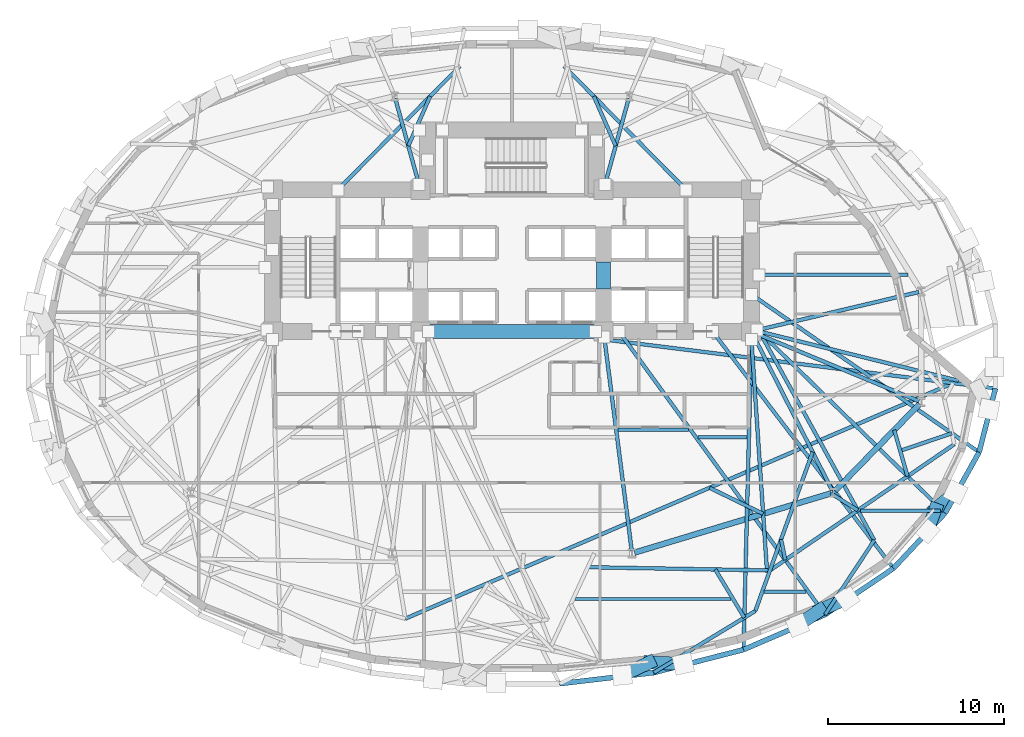
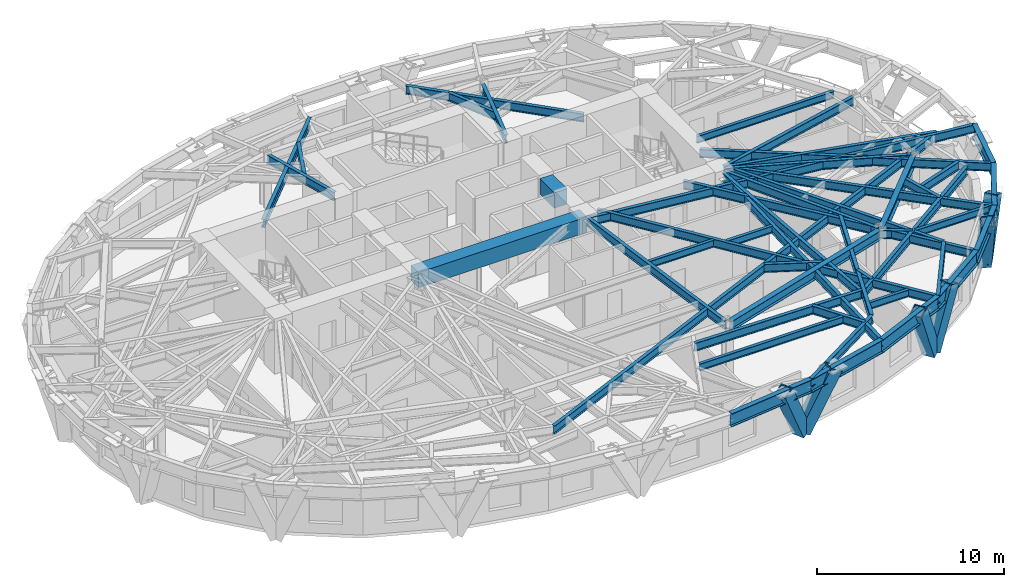
# One storey, part 3 of 15: 48 beams, 6 members.
"""IFC4 building model written with IfcOpenShell, lengths in metres."""

from ifc_helpers import new_model, si_unit, direction, frame, origin, origin_2d, place, context, subcontext, project, spatial, rectangle, hollow_rectangle, i_section, extrude, material, material_profile, profile_set, type_object, element, save


model = new_model("IFC4")

# Units and contexts
model_context = context("Model", 3, precision=1e-05, world=origin(), true_north=direction((0.0, 1.0)))
body_context = subcontext(model_context, "Body", "Model", "MODEL_VIEW")
ifc_project = project(units=[si_unit("LENGTHUNIT", "METRE"), si_unit("AREAUNIT", "SQUARE_METRE"), si_unit("VOLUMEUNIT", "CUBIC_METRE"), si_unit("PLANEANGLEUNIT", "RADIAN"), si_unit("MASSUNIT", "GRAM", prefix="KILO")], contexts=[model_context])

# Site, building, storey
site_placement = place(None, origin())
site = spatial("IfcSite", under=ifc_project, at=site_placement, CompositionType="ELEMENT")
building_placement = place(site_placement, origin())
building = spatial("IfcBuilding", under=site, at=building_placement, Name="Keldmark Tower", CompositionType="ELEMENT")
storey_placement = place(building_placement, frame((0.0, 0.0, 37.800048828125)))
storey = spatial("IfcBuildingStorey", under=building, at=storey_placement, Name="L09", CompositionType="ELEMENT", Elevation=37.800048828125)

# Beams
ifc_material_1 = material(Name="Steel ASTM A992 Grade 50", Category="steel")
ifc_material_profile_1 = material_profile(ifc_material_1, i_section(OverallWidth=0.19091796875, OverallDepth=0.45703125, WebThickness=0.009033203125, FlangeThickness=0.014404296875, at=origin_2d()), Name="W18X50")
ifc_profile_set_1 = profile_set([ifc_material_profile_1], Name="Steel ASTM A992 Grade 50")
beam_type_1 = type_object("IfcBeamType", Name="Composite Floor Joist W18X50", PredefinedType="JOIST", material=ifc_profile_set_1)
beam_1_placement = place(storey_placement, frame((3.57568359375, -13.800048828125, 3.17138671875), z_axis=(1.0, 0.0, 0.0), x_axis=(0.0, 1.0, 0.0)))
element("IfcBeam", 1, at=beam_1_placement, inside=storey, type_object=beam_type_1, Name="L09 Composite Floor Joist J02", PredefinedType="JOIST", context=body_context, shape_type="SweptSolid", body=[
    extrude(i_section(OverallWidth=0.19091796875, OverallDepth=0.45703125, WebThickness=0.009033203125, FlangeThickness=0.014404296875, at=origin_2d()), origin(), (0.0, 0.0, 1.0), 8.87353515625),
])
beam_2_placement = place(storey_placement, frame((14.321533203125, -13.3798828125, 3.17138671875), z_axis=(1.0, 0.0, 0.0), x_axis=(0.0, 1.0, 0.0)))
element("IfcBeam", 2, at=beam_2_placement, inside=storey, type_object=beam_type_1, Name="L09 Composite Floor Joist J03", PredefinedType="JOIST", context=body_context, shape_type="SweptSolid", body=[
    extrude(i_section(OverallWidth=0.19091796875, OverallDepth=0.45703125, WebThickness=0.009033203125, FlangeThickness=0.014404296875, at=origin_2d()), origin(), (0.0, 0.0, 1.0), 2.39453125),
])
beam_3_placement = place(storey_placement, frame((19.788818359375, -8.780029296875, 3.17138671875), z_axis=(1.0, 0.0, 0.0), x_axis=(0.0, 1.0, 0.0)))
element("IfcBeam", 3, at=beam_3_placement, inside=storey, type_object=beam_type_1, Name="L09 Composite Floor Joist J06", PredefinedType="JOIST", context=body_context, shape_type="SweptSolid", body=[
    extrude(i_section(OverallWidth=0.19091796875, OverallDepth=0.45703125, WebThickness=0.009033203125, FlangeThickness=0.014404296875, at=origin_2d()), origin(), (0.0, 0.0, 1.0), 4.5439453125),
])
beam_4_placement = place(storey_placement, frame((6.016845703125, -4.179931640625, 3.17138671875), z_axis=(1.0, 0.0, 0.0), x_axis=(0.0, 1.0, 0.0)))
element("IfcBeam", 4, at=beam_4_placement, inside=storey, type_object=beam_type_1, Name="L09 Composite Floor Joist J09", PredefinedType="JOIST", context=body_context, shape_type="SweptSolid", body=[
    extrude(i_section(OverallWidth=0.19091796875, OverallDepth=0.45703125, WebThickness=0.009033203125, FlangeThickness=0.014404296875, at=origin_2d()), origin(), (0.0, 0.0, 1.0), 4.003173828125),
])
beam_5_placement = place(storey_placement, frame((10.565673828125, -4.60009765625, 3.17138671875), z_axis=(1.0, 0.0, 0.0), x_axis=(0.0, 1.0, 0.0)))
element("IfcBeam", 5, at=beam_5_placement, inside=storey, type_object=beam_type_1, Name="L09 Composite Floor Joist J10", PredefinedType="JOIST", context=body_context, shape_type="SweptSolid", body=[
    extrude(i_section(OverallWidth=0.19091796875, OverallDepth=0.45703125, WebThickness=0.009033203125, FlangeThickness=0.014404296875, at=origin_2d()), origin(), (0.0, 0.0, 1.0), 2.797607421875),
])
beam_6_placement = place(storey_placement, frame((14.044921875, 4.6201171875, 3.17138671875), z_axis=(1.0, 0.0, 0.0), x_axis=(0.0, 1.0, 0.0)))
element("IfcBeam", 6, at=beam_6_placement, inside=storey, type_object=beam_type_1, Name="L09 Composite Floor Joist J13", PredefinedType="JOIST", context=body_context, shape_type="SweptSolid", body=[
    extrude(i_section(OverallWidth=0.19091796875, OverallDepth=0.45703125, WebThickness=0.009033203125, FlangeThickness=0.014404296875, at=origin_2d()), origin(), (0.0, 0.0, 1.0), 8.444580078125),
])
ifc_material_2 = material(Name="Concrete C70/85", Category="concrete")
ifc_material_profile_2 = material_profile(ifc_material_2, rectangle(XDim=0.800048828125, YDim=1.0, at=origin_2d()), Name="RCB800X1000")
ifc_profile_set_2 = profile_set([ifc_material_profile_2], Name="Concrete C70/85")
beam_type_2 = type_object("IfcBeamType", Name="Core Coupling Beam RCB800X1000", PredefinedType="USERDEFINED", material=ifc_profile_set_2)
beam_7_placement = place(storey_placement, frame((5.199951171875, 3.800048828125, 2.89990234375), z_axis=(0.0, 1.0, 0.0), x_axis=(-1.0, 0.0, 0.0)))
element("IfcBeam", 7, at=beam_7_placement, inside=storey, type_object=beam_type_2, Name="L09 East Core Coupling Beam", ObjectType="COUPLING BEAM", PredefinedType="USERDEFINED", context=body_context, shape_type="SweptSolid", body=[
    extrude(rectangle(XDim=0.800048828125, YDim=1.0, at=origin_2d()), origin(), (0.0, 0.0, 1.0), 1.550048828125),
])
beam_8_placement = place(storey_placement, frame((-5.199951171875, 1.39990234375, 2.89990234375), z_axis=(1.0, 0.0, 0.0), x_axis=(0.0, 1.0, 0.0)))
element("IfcBeam", 8, at=beam_8_placement, inside=storey, type_object=beam_type_2, Name="L09 Central South Core Coupling Beam", ObjectType="COUPLING BEAM", PredefinedType="USERDEFINED", context=body_context, shape_type="SweptSolid", body=[
    extrude(rectangle(XDim=0.800048828125, YDim=1.0, at=origin_2d()), origin(), (0.0, 0.0, 1.0), 10.39990234375),
])

# Members
ifc_material_3 = material(Name="Steel ASTM A572 Grade 50", Category="steel")
ifc_material_profile_3 = material_profile(ifc_material_3, hollow_rectangle(XDim=0.75, YDim=0.75, WallThickness=0.06494140625, at=origin_2d()), Name="BOX750X750X65")
ifc_profile_set_3 = profile_set([ifc_material_profile_3], Name="Steel ASTM A572 Grade 50")
member_type = type_object("IfcMemberType", Name="Diagrid Lower Brace BOX750X750X65", PredefinedType="BRACE", material=ifc_profile_set_3)
member_1_placement = place(storey_placement, frame((7.81298828125, -17.39990234375, -0.280029296875), z_axis=(-0.392331845466, -0.185415412322, 0.900942200092), x_axis=(0.427284399131, -0.904117272404, 0.0)))
element("IfcMember", 9, at=member_1_placement, inside=storey, type_object=member_type, Name="L09 Perimeter Diagrid Brace 13A", PredefinedType="BRACE", context=body_context, shape_type="SweptSolid", body=[
    extrude(hollow_rectangle(XDim=0.75, YDim=0.75, WallThickness=0.06494140625, at=origin_2d()), origin(), (0.0, 0.0, 1.0), 3.951416015625),
])
member_2_placement = place(storey_placement, frame((7.801513671875, -17.402099609375, -0.280029296875), z_axis=(0.476936958146, -0.021572132788, 0.878672738305), x_axis=(0.04518437926, 0.998978664372, 0.0)))
element("IfcMember", 10, at=member_2_placement, inside=storey, type_object=member_type, Name="L09 Perimeter Diagrid Brace 13B", PredefinedType="BRACE", context=body_context, shape_type="SweptSolid", body=[
    extrude(hollow_rectangle(XDim=0.75, YDim=0.75, WallThickness=0.06494140625, at=origin_2d()), origin(), (0.0, 0.0, 1.0), 4.051513671875),
])
member_3_placement = place(storey_placement, frame((17.510009765625, -14.4228515625, -0.280029296875), z_axis=(-0.333373647713, -0.224551547226, 0.915662936702), x_axis=(0.558659600206, -0.829397040686, 0.0)))
element("IfcMember", 11, at=member_3_placement, inside=storey, type_object=member_type, Name="L09 Perimeter Diagrid Brace 14A", PredefinedType="BRACE", context=body_context, shape_type="SweptSolid", body=[
    extrude(hollow_rectangle(XDim=0.75, YDim=0.75, WallThickness=0.06494140625, at=origin_2d()), origin(), (0.0, 0.0, 1.0), 3.887939453125),
])
member_4_placement = place(storey_placement, frame((17.500244140625, -14.42919921875, -0.280029296875), z_axis=(0.392011506588, 0.169590552122, 0.904193576251), x_axis=(-0.397053283296, 0.917795560146, 0.0)))
element("IfcMember", 12, at=member_4_placement, inside=storey, type_object=member_type, Name="L09 Perimeter Diagrid Brace 14B", PredefinedType="BRACE", context=body_context, shape_type="SweptSolid", body=[
    extrude(hollow_rectangle(XDim=0.75, YDim=0.75, WallThickness=0.06494140625, at=origin_2d()), origin(), (0.0, 0.0, 1.0), 3.937255859375),
])
member_5_placement = place(storey_placement, frame((24.059814453125, -8.689697265625, -0.280029296875), z_axis=(-0.125442726362, -0.324376501536, 0.93757346787), x_axis=(0.932686500916, -0.360688079938, 0.0)))
element("IfcMember", 13, at=member_5_placement, inside=storey, type_object=member_type, Name="L09 Perimeter Diagrid Brace 15A", PredefinedType="BRACE", context=body_context, shape_type="SweptSolid", body=[
    extrude(hollow_rectangle(XDim=0.75, YDim=0.75, WallThickness=0.06494140625, at=origin_2d()), origin(), (0.0, 0.0, 1.0), 3.797119140625),
])
member_6_placement = place(storey_placement, frame((24.053466796875, -8.69970703125, -0.280029296875), z_axis=(0.296475355452, 0.25052831145, 0.921595317247), x_axis=(-0.645438466193, 0.763812271673, 0.0)))
element("IfcMember", 14, at=member_6_placement, inside=storey, type_object=member_type, Name="L09 Perimeter Diagrid Brace 15B", PredefinedType="BRACE", context=body_context, shape_type="SweptSolid", body=[
    extrude(hollow_rectangle(XDim=0.75, YDim=0.75, WallThickness=0.06494140625, at=origin_2d()), origin(), (0.0, 0.0, 1.0), 3.863037109375),
])

# Beams
ifc_material_4 = material(Name="Steel ASTM A992 Grade 50", Category="steel")
ifc_material_profile_4 = material_profile(ifc_material_4, i_section(OverallWidth=0.323974609375, OverallDepth=0.611083984375, WebThickness=0.0126953125, FlangeThickness=0.01904296875, at=origin_2d()), Name="W24X104")
ifc_profile_set_4 = profile_set([ifc_material_profile_4], Name="Steel ASTM A992 Grade 50")
beam_type_3 = type_object("IfcBeamType", Name="Primary Floor Girder W24X104", PredefinedType="BEAM", material=ifc_profile_set_4)
beam_9_placement = place(storey_placement, frame((6.9560546875, -11.165283203125, 3.094482421875), z_axis=(0.957346071406, 0.2889437654, 0.0), x_axis=(-0.2889437654, 0.957346071406, 0.0)))
element("IfcBeam", 15, at=beam_9_placement, inside=storey, type_object=beam_type_3, Name="L09 Floor Ring Girder FG-R10", PredefinedType="BEAM", context=body_context, shape_type="SweptSolid", body=[
    extrude(i_section(OverallWidth=0.323974609375, OverallDepth=0.611083984375, WebThickness=0.0126953125, FlangeThickness=0.01904296875, at=origin_2d()), origin(), (0.0, 0.0, 1.0), 11.66015625),
])
beam_10_placement = place(storey_placement, frame((18.350341796875, -7.6552734375, 3.094482421875), z_axis=(0.697210382268, 0.716866572563, 0.0), x_axis=(-0.716866572563, 0.697210382268, 0.0)))
element("IfcBeam", 16, at=beam_10_placement, inside=storey, type_object=beam_type_3, Name="L09 Floor Ring Girder FG-R11", PredefinedType="BEAM", context=body_context, shape_type="SweptSolid", body=[
    extrude(i_section(OverallWidth=0.323974609375, OverallDepth=0.611083984375, WebThickness=0.0126953125, FlangeThickness=0.01904296875, at=origin_2d()), origin(), (0.0, 0.0, 1.0), 6.893310546875),
])
ifc_material_5 = material(Name="Steel ASTM A992 Grade 50", Category="steel")
ifc_material_profile_5 = material_profile(ifc_material_5, i_section(OverallWidth=0.2099609375, OverallDepth=0.537109375, WebThickness=0.010986328125, FlangeThickness=0.017333984375, at=origin_2d()), Name="W21X68")
ifc_profile_set_5 = profile_set([ifc_material_profile_5], Name="Steel ASTM A992 Grade 50")
beam_type_4 = type_object("IfcBeamType", Name="Radial Tie Girder W21X68", PredefinedType="BEAM", material=ifc_profile_set_5)
beam_11_placement = place(storey_placement, frame((5.889404296875, 11.948486328125, 3.13134765625), z_axis=(-0.403401535143, 0.915023060608, 0.0), x_axis=(-0.915023060608, -0.403401535143, 0.0)))
element("IfcBeam", 17, at=beam_11_placement, inside=storey, type_object=beam_type_4, Name="L09 Framing Pin Header PH-002", PredefinedType="BEAM", context=body_context, shape_type="SweptSolid", body=[
    extrude(i_section(OverallWidth=0.2099609375, OverallDepth=0.537109375, WebThickness=0.010986328125, FlangeThickness=0.017333984375, at=origin_2d()), origin(), (0.0, 0.0, 1.0), 3.072509765625),
])
beam_12_placement = place(storey_placement, frame((9.892822265625, 9.449951171875, 3.13134765625), z_axis=(-0.702598504383, 0.711586496245, 0.0), x_axis=(-0.711586496245, -0.702598504383, 0.0)))
element("IfcBeam", 18, at=beam_12_placement, inside=storey, type_object=beam_type_4, Name="L09 Sub-Ring Step Girder STP1-M03", PredefinedType="BEAM", context=body_context, shape_type="SweptSolid", body=[
    extrude(i_section(OverallWidth=0.2099609375, OverallDepth=0.537109375, WebThickness=0.010986328125, FlangeThickness=0.017333984375, at=origin_2d()), origin(), (0.0, 0.0, 1.0), 9.860107421875),
])
beam_13_placement = place(storey_placement, frame((-5.889404296875, 11.948486328125, 3.13134765625), z_axis=(0.403401535143, 0.915023060608, 0.0), x_axis=(-0.915023060608, 0.403401535143, 0.0)))
element("IfcBeam", 19, at=beam_13_placement, inside=storey, type_object=beam_type_4, Name="L09 Framing Pin Header PH-003", PredefinedType="BEAM", context=body_context, shape_type="SweptSolid", body=[
    extrude(i_section(OverallWidth=0.2099609375, OverallDepth=0.537109375, WebThickness=0.010986328125, FlangeThickness=0.017333984375, at=origin_2d()), origin(), (0.0, 0.0, 1.0), 3.072509765625),
])
beam_14_placement = place(storey_placement, frame((-9.892822265625, 9.449951171875, 3.13134765625), z_axis=(0.702598504383, 0.711586496245, 0.0), x_axis=(-0.711586496245, 0.702598504383, 0.0)))
element("IfcBeam", 20, at=beam_14_placement, inside=storey, type_object=beam_type_4, Name="L09 Sub-Ring Step Girder STP1-M04", PredefinedType="BEAM", context=body_context, shape_type="SweptSolid", body=[
    extrude(i_section(OverallWidth=0.2099609375, OverallDepth=0.537109375, WebThickness=0.010986328125, FlangeThickness=0.017333984375, at=origin_2d()), origin(), (0.0, 0.0, 1.0), 9.860107421875),
])
beam_15_placement = place(storey_placement, frame((14.050048828125, 1.39990234375, 3.13134765625), z_axis=(0.970791969309, -0.239922804929, 0.0), x_axis=(0.239922804929, 0.970791969309, 0.0)))
element("IfcBeam", 21, at=beam_15_placement, inside=storey, type_object=beam_type_4, Name="L09 Sub-Ring Step Girder STP1-M12", PredefinedType="BEAM", context=body_context, shape_type="SweptSolid", body=[
    extrude(i_section(OverallWidth=0.2099609375, OverallDepth=0.537109375, WebThickness=0.010986328125, FlangeThickness=0.017333984375, at=origin_2d()), origin(), (0.0, 0.0, 1.0), 11.656494140625),
])
beam_16_placement = place(storey_placement, frame((-6.0634765625, -14.916015625, 3.13134765625), z_axis=(0.91862010832, 0.395141868942, 0.0), x_axis=(-0.395141868942, 0.91862010832, 0.0)))
element("IfcBeam", 22, at=beam_16_placement, inside=storey, type_object=beam_type_4, Name="L09 Perimeter Collector Ring Beam CRG1-M09", PredefinedType="BEAM", context=body_context, shape_type="SweptSolid", body=[
    extrude(i_section(OverallWidth=0.2099609375, OverallDepth=0.537109375, WebThickness=0.010986328125, FlangeThickness=0.017333984375, at=origin_2d()), origin(), (0.0, 0.0, 1.0), 34.2138671875),
])
beam_17_placement = place(storey_placement, frame((11.22265625, -7.48046875, 3.13134765625), z_axis=(0.899644164592, -0.436623839381, 0.0), x_axis=(0.436623839381, 0.899644164592, 0.0)))
element("IfcBeam", 23, at=beam_17_placement, inside=storey, type_object=beam_type_4, Name="L09 Framing Pin Header PH-014", PredefinedType="BEAM", context=body_context, shape_type="SweptSolid", body=[
    extrude(i_section(OverallWidth=0.2099609375, OverallDepth=0.537109375, WebThickness=0.010986328125, FlangeThickness=0.017333984375, at=origin_2d()), origin(), (0.0, 0.0, 1.0), 3.385009765625),
])
beam_18_placement = place(storey_placement, frame((13.60009765625, 0.949951171875, 3.13134765625), z_axis=(0.067249465921, -0.997736192254, 0.0), x_axis=(0.997736192254, 0.067249465921, 0.0)))
element("IfcBeam", 24, at=beam_18_placement, inside=storey, type_object=beam_type_4, Name="L09 Sub-Ring Step Girder STP2-M11", PredefinedType="BEAM", context=body_context, shape_type="SweptSolid", body=[
    extrude(i_section(OverallWidth=0.2099609375, OverallDepth=0.537109375, WebThickness=0.010986328125, FlangeThickness=0.017333984375, at=origin_2d()), origin(), (0.0, 0.0, 1.0), 13.265380859375),
])
beam_19_placement = place(storey_placement, frame((14.4921875, -12.285400390625, 3.13134765625), z_axis=(0.82527984309, 0.564723986199, 0.0), x_axis=(-0.564723986199, 0.82527984309, 0.0)))
element("IfcBeam", 25, at=beam_19_placement, inside=storey, type_object=beam_type_4, Name="L09 Perimeter Collector Ring Beam CRG2-M11", PredefinedType="BEAM", context=body_context, shape_type="SweptSolid", body=[
    extrude(i_section(OverallWidth=0.2099609375, OverallDepth=0.537109375, WebThickness=0.010986328125, FlangeThickness=0.017333984375, at=origin_2d()), origin(), (0.0, 0.0, 1.0), 12.886474609375),
])
beam_20_placement = place(storey_placement, frame((4.3115234375, -11.99169921875, 3.13134765625), z_axis=(0.99984245989, -0.017749800043, 0.0), x_axis=(0.017749800043, 0.99984245989, 0.0)))
element("IfcBeam", 26, at=beam_20_placement, inside=storey, type_object=beam_type_4, Name="L09 Framing Pin Header PH-037", PredefinedType="BEAM", context=body_context, shape_type="SweptSolid", body=[
    extrude(i_section(OverallWidth=0.2099609375, OverallDepth=0.537109375, WebThickness=0.010986328125, FlangeThickness=0.017333984375, at=origin_2d()), origin(), (0.0, 0.0, 1.0), 10.343505859375),
])
beam_21_placement = place(storey_placement, frame((17.078369140625, -5.4443359375, 3.13134765625), z_axis=(-0.338967889835, -0.940797943057, 0.0), x_axis=(0.940797943057, -0.338967889835, 0.0)))
element("IfcBeam", 27, at=beam_21_placement, inside=storey, type_object=beam_type_4, Name="L09 Intermediate Radial Step Girder RT-27M", PredefinedType="BEAM", context=body_context, shape_type="SweptSolid", body=[
    extrude(i_section(OverallWidth=0.2099609375, OverallDepth=0.537109375, WebThickness=0.010986328125, FlangeThickness=0.017333984375, at=origin_2d()), origin(), (0.0, 0.0, 1.0), 9.6044921875),
])
beam_22_placement = place(storey_placement, frame((8.05029296875, -17.982666015625, 3.13134765625), z_axis=(0.854936428272, 0.51873278633, 0.0), x_axis=(-0.51873278633, 0.854936428272, 0.0)))
element("IfcBeam", 28, at=beam_22_placement, inside=storey, type_object=beam_type_4, Name="L09 Local Collector Chord RT-27C", PredefinedType="BEAM", context=body_context, shape_type="SweptSolid", body=[
    extrude(i_section(OverallWidth=0.2099609375, OverallDepth=0.537109375, WebThickness=0.010986328125, FlangeThickness=0.017333984375, at=origin_2d()), origin(), (0.0, 0.0, 1.0), 6.751953125),
])
beam_23_placement = place(storey_placement, frame((11.55078125, -12.120361328125, 3.13134765625), z_axis=(0.515843130065, -0.856683059926, 0.0), x_axis=(0.856683059926, 0.515843130065, 0.0)))
element("IfcBeam", 29, at=beam_23_placement, inside=storey, type_object=beam_type_4, Name="L09 Framing Pin Header PH-038", PredefinedType="BEAM", context=body_context, shape_type="SweptSolid", body=[
    extrude(i_section(OverallWidth=0.2099609375, OverallDepth=0.537109375, WebThickness=0.010986328125, FlangeThickness=0.017333984375, at=origin_2d()), origin(), (0.0, 0.0, 1.0), 3.196044921875),
])
beam_24_placement = place(storey_placement, frame((13.60009765625, 0.949951171875, 3.13134765625), z_axis=(-0.02534127953, -0.99967885821, 0.0), x_axis=(0.99967885821, -0.02534127953, 0.0)))
element("IfcBeam", 30, at=beam_24_placement, inside=storey, type_object=beam_type_4, Name="L09 Perimeter Radial Tie Girder RT-27", PredefinedType="BEAM", context=body_context, shape_type="SweptSolid", body=[
    extrude(i_section(OverallWidth=0.2099609375, OverallDepth=0.537109375, WebThickness=0.010986328125, FlangeThickness=0.017333984375, at=origin_2d()), origin(), (0.0, 0.0, 1.0), 17.63037109375),
])
beam_25_placement = place(storey_placement, frame((15.287841796875, -10.4140625, 3.13134765625), z_axis=(0.199630044772, -0.979871341159, 0.0), x_axis=(0.979871341159, 0.199630044772, 0.0)))
element("IfcBeam", 31, at=beam_25_placement, inside=storey, type_object=beam_type_4, Name="L09 Framing Pin Header PH-039", PredefinedType="BEAM", context=body_context, shape_type="SweptSolid", body=[
    extrude(i_section(OverallWidth=0.2099609375, OverallDepth=0.537109375, WebThickness=0.010986328125, FlangeThickness=0.017333984375, at=origin_2d()), origin(), (0.0, 0.0, 1.0), 1.188720703125),
])
beam_26_placement = place(storey_placement, frame((6.07861328125, 1.39990234375, 3.13134765625), z_axis=(0.588470082326, -0.808518993102, 0.0), x_axis=(0.808518993102, 0.588470082326, 0.0)))
element("IfcBeam", 32, at=beam_26_placement, inside=storey, type_object=beam_type_4, Name="L09 Perimeter Radial Tie Girder RT-28", PredefinedType="BEAM", context=body_context, shape_type="SweptSolid", body=[
    extrude(i_section(OverallWidth=0.2099609375, OverallDepth=0.537109375, WebThickness=0.010986328125, FlangeThickness=0.017333984375, at=origin_2d()), origin(), (0.0, 0.0, 1.0), 19.895263671875),
])
beam_27_placement = place(storey_placement, frame((18.118896484375, -7.796142578125, 3.13134765625), z_axis=(0.845948150047, -0.533265156776, 0.0), x_axis=(0.533265156776, 0.845948150047, 0.0)))
element("IfcBeam", 33, at=beam_27_placement, inside=storey, type_object=beam_type_4, Name="L09 Framing Pin Header PH-040", PredefinedType="BEAM", context=body_context, shape_type="SweptSolid", body=[
    extrude(i_section(OverallWidth=0.2099609375, OverallDepth=0.537109375, WebThickness=0.010986328125, FlangeThickness=0.017333984375, at=origin_2d()), origin(), (0.0, 0.0, 1.0), 1.80517578125),
])
beam_28_placement = place(storey_placement, frame((14.050048828125, 1.39990234375, 3.13134765625), z_axis=(0.482477991977, -0.875908092929, 0.0), x_axis=(0.875908092929, 0.482477991977, 0.0)))
element("IfcBeam", 34, at=beam_28_placement, inside=storey, type_object=beam_type_4, Name="L09 Intermediate Radial Step Girder RT-29M", PredefinedType="BEAM", context=body_context, shape_type="SweptSolid", body=[
    extrude(i_section(OverallWidth=0.2099609375, OverallDepth=0.537109375, WebThickness=0.010986328125, FlangeThickness=0.017333984375, at=origin_2d()), origin(), (0.0, 0.0, 1.0), 13.538330078125),
])
beam_29_placement = place(storey_placement, frame((17.786376953125, -14.685791015625, 3.13134765625), z_axis=(0.551617097715, 0.834097462836, 0.0), x_axis=(-0.834097462836, 0.551617097715, 0.0)))
element("IfcBeam", 35, at=beam_29_placement, inside=storey, type_object=beam_type_4, Name="L09 Local Collector Chord RT-29C", PredefinedType="BEAM", context=body_context, shape_type="SweptSolid", body=[
    extrude(i_section(OverallWidth=0.2099609375, OverallDepth=0.537109375, WebThickness=0.010986328125, FlangeThickness=0.017333984375, at=origin_2d()), origin(), (0.0, 0.0, 1.0), 5.068115234375),
])
beam_30_placement = place(storey_placement, frame((11.392822265625, 1.39990234375, 3.13134765625), z_axis=(0.607192621038, -0.794554668325, 0.0), x_axis=(0.794554668325, 0.607192621038, 0.0)))
element("IfcBeam", 36, at=beam_30_placement, inside=storey, type_object=beam_type_4, Name="L09 Perimeter Radial Tie Girder RT-29", PredefinedType="BEAM", context=body_context, shape_type="SweptSolid", body=[
    extrude(i_section(OverallWidth=0.2099609375, OverallDepth=0.537109375, WebThickness=0.010986328125, FlangeThickness=0.017333984375, at=origin_2d()), origin(), (0.0, 0.0, 1.0), 16.930419921875),
])
beam_31_placement = place(storey_placement, frame((21.714599609375, -4.196044921875, 3.13134765625), z_axis=(0.276523764245, -0.961007079999, 0.0), x_axis=(0.961007079999, 0.276523764245, 0.0)))
element("IfcBeam", 37, at=beam_31_placement, inside=storey, type_object=beam_type_4, Name="L09 Framing Pin Header PH-041", PredefinedType="BEAM", context=body_context, shape_type="SweptSolid", body=[
    extrude(i_section(OverallWidth=0.2099609375, OverallDepth=0.537109375, WebThickness=0.010986328125, FlangeThickness=0.017333984375, at=origin_2d()), origin(), (0.0, 0.0, 1.0), 2.736083984375),
])
beam_32_placement = place(storey_placement, frame((14.050048828125, 1.39990234375, 3.13134765625), z_axis=(0.715378294414, -0.698737358298, 0.0), x_axis=(0.698737358298, 0.715378294414, 0.0)))
element("IfcBeam", 38, at=beam_32_placement, inside=storey, type_object=beam_type_4, Name="L09 Perimeter Radial Tie Girder RT-30", PredefinedType="BEAM", context=body_context, shape_type="SweptSolid", body=[
    extrude(i_section(OverallWidth=0.2099609375, OverallDepth=0.537109375, WebThickness=0.010986328125, FlangeThickness=0.017333984375, at=origin_2d()), origin(), (0.0, 0.0, 1.0), 14.759033203125),
])
beam_33_placement = place(storey_placement, frame((22.05517578125, -5.37939453125, 3.13134765625), z_axis=(0.946872084839, 0.321610408651, 0.0), x_axis=(-0.321610408651, 0.946872084839, 0.0)))
element("IfcBeam", 39, at=beam_33_placement, inside=storey, type_object=beam_type_4, Name="L09 Framing Pin Header PH-042", PredefinedType="BEAM", context=body_context, shape_type="SweptSolid", body=[
    extrude(i_section(OverallWidth=0.2099609375, OverallDepth=0.537109375, WebThickness=0.010986328125, FlangeThickness=0.017333984375, at=origin_2d()), origin(), (0.0, 0.0, 1.0), 3.099365234375),
])
beam_34_placement = place(storey_placement, frame((13.60009765625, 3.507080078125, 3.13134765625), z_axis=(0.822045857539, -0.569421292281, 0.0), x_axis=(0.569421292281, 0.822045857539, 0.0)))
element("IfcBeam", 40, at=beam_34_placement, inside=storey, type_object=beam_type_4, Name="L09 Perimeter Radial Tie Girder RT-31", PredefinedType="BEAM", context=body_context, shape_type="SweptSolid", body=[
    extrude(i_section(OverallWidth=0.2099609375, OverallDepth=0.537109375, WebThickness=0.010986328125, FlangeThickness=0.017333984375, at=origin_2d()), origin(), (0.0, 0.0, 1.0), 15.739013671875),
])
beam_35_placement = place(storey_placement, frame((5.199951171875, 0.949951171875, 3.13134765625), z_axis=(0.992279383121, -0.124022682736, 0.0), x_axis=(0.124022682736, 0.992279383121, 0.0)))
element("IfcBeam", 41, at=beam_35_placement, inside=storey, type_object=beam_type_4, Name="L09 Perimeter Radial Tie Girder RT-32", PredefinedType="BEAM", context=body_context, shape_type="SweptSolid", body=[
    extrude(i_section(OverallWidth=0.2099609375, OverallDepth=0.537109375, WebThickness=0.010986328125, FlangeThickness=0.017333984375, at=origin_2d()), origin(), (0.0, 0.0, 1.0), 22.439208984375),
])
ifc_material_6 = material(Name="Steel ASTM A992 Grade 50", Category="steel")
ifc_material_profile_6 = material_profile(ifc_material_6, i_section(OverallWidth=0.214111328125, OverallDepth=0.549072265625, WebThickness=0.0146484375, FlangeThickness=0.023681640625, at=origin_2d()), Name="W21X93")
ifc_profile_set_6 = profile_set([ifc_material_profile_6], Name="Steel ASTM A992 Grade 50")
beam_type_5 = type_object("IfcBeamType", Name="Radial Tie Girder W21X93", PredefinedType="BEAM", material=ifc_profile_set_6)
beam_36_placement = place(storey_placement, frame((23.11767578125, 3.64501953125, 3.12548828125), z_axis=(-0.973287364179, -0.229590301909, 0.0), x_axis=(0.229590301909, -0.973287364179, 0.0)))
element("IfcBeam", 42, at=beam_36_placement, inside=storey, type_object=beam_type_5, Name="L09 Floor Radial Girder FG-C01", PredefinedType="BEAM", context=body_context, shape_type="SweptSolid", body=[
    extrude(i_section(OverallWidth=0.214111328125, OverallDepth=0.549072265625, WebThickness=0.0146484375, FlangeThickness=0.023681640625, at=origin_2d()), origin(), (0.0, 0.0, 1.0), 9.458740234375),
])
for number, where, z_axis, x_axis, name in (
    (43, (6.6279296875, 14.625, 3.12548828125), (-0.265984786353, -0.963977226613, 0.0), (0.963977226613, -0.265984786353, 0.0), "L09 Floor Radial Girder FG-C03"),
    (44, (-6.6279296875, 14.625, 3.12548828125), (0.265984786353, -0.963977226613, 0.0), (0.963977226613, 0.265984786353, 0.0), "L09 Floor Radial Girder FG-C04"),
):
    element("IfcBeam", number, at=place(storey_placement, frame(where, z_axis=z_axis, x_axis=x_axis)), inside=storey, type_object=beam_type_5, Name=name, PredefinedType="BEAM", context=body_context, shape_type="SweptSolid", body=[
        extrude(i_section(OverallWidth=0.214111328125, OverallDepth=0.549072265625, WebThickness=0.0146484375, FlangeThickness=0.023681640625, at=origin_2d()), origin(), (0.0, 0.0, 1.0), 5.04833984375),
    ])
beam_37_placement = place(storey_placement, frame((6.80419921875, -11.06689453125, 3.12548828125), z_axis=(-0.127634898593, 0.99182122011, 0.0), x_axis=(-0.99182122011, -0.127634898593, 0.0)))
element("IfcBeam", 45, at=beam_37_placement, inside=storey, type_object=beam_type_5, Name="L09 Floor Radial Girder FG-C10", PredefinedType="BEAM", context=body_context, shape_type="SweptSolid", body=[
    extrude(i_section(OverallWidth=0.214111328125, OverallDepth=0.549072265625, WebThickness=0.0146484375, FlangeThickness=0.023681640625, at=origin_2d()), origin(), (0.0, 0.0, 1.0), 12.24951171875),
])
beam_38_placement = place(storey_placement, frame((18.189453125, -7.630859375, 3.12548828125), z_axis=(-0.453037526986, 0.891491446478, 0.0), x_axis=(-0.891491446478, -0.453037526986, 0.0)))
element("IfcBeam", 46, at=beam_38_placement, inside=storey, type_object=beam_type_5, Name="L09 Floor Radial Girder FG-C11", PredefinedType="BEAM", context=body_context, shape_type="SweptSolid", body=[
    extrude(i_section(OverallWidth=0.214111328125, OverallDepth=0.549072265625, WebThickness=0.0146484375, FlangeThickness=0.023681640625, at=origin_2d()), origin(), (0.0, 0.0, 1.0), 9.81005859375),
])
beam_39_placement = place(storey_placement, frame((23.124755859375, -2.5595703125, 3.12548828125), z_axis=(-0.923390978102, 0.383860784088, 0.0), x_axis=(-0.383860784088, -0.923390978102, 0.0)))
element("IfcBeam", 47, at=beam_39_placement, inside=storey, type_object=beam_type_5, Name="L09 Floor Radial Girder FG-C12", PredefinedType="BEAM", context=body_context, shape_type="SweptSolid", body=[
    extrude(i_section(OverallWidth=0.214111328125, OverallDepth=0.549072265625, WebThickness=0.0146484375, FlangeThickness=0.023681640625, at=origin_2d()), origin(), (0.0, 0.0, 1.0), 9.994873046875),
])
ifc_material_7 = material(Name="Steel ASTM A992 Grade 50", Category="steel")
ifc_material_profile_7 = material_profile(ifc_material_7, i_section(OverallWidth=0.2919921875, OverallDepth=0.85888671875, WebThickness=0.01708984375, FlangeThickness=0.031005859375, at=origin_2d()), Name="W33X169")
ifc_profile_set_7 = profile_set([ifc_material_profile_7], Name="Steel ASTM A992 Grade 50")
beam_type_6 = type_object("IfcBeamType", Name="Spandrel Ring Beam W33X169", PredefinedType="SPANDREL", material=ifc_profile_set_7)
beam_40_placement = place(storey_placement, frame((2.705078125, -18.611083984375, 2.970458984375), z_axis=(0.993159890371, 0.116762289112, 0.0), x_axis=(-0.116762289112, 0.993159890371, 0.0)))
element("IfcBeam", 48, at=beam_40_placement, inside=storey, type_object=beam_type_6, Name="L09 Perimeter Spandrel Ring Beam SRB-25", PredefinedType="SPANDREL", context=body_context, shape_type="SweptSolid", body=[
    extrude(i_section(OverallWidth=0.2919921875, OverallDepth=0.85888671875, WebThickness=0.01708984375, FlangeThickness=0.031005859375, at=origin_2d()), origin(), (0.0, 0.0, 1.0), 5.382080078125),
])
beam_41_placement = place(storey_placement, frame((8.05029296875, -17.982666015625, 2.970458984375), z_axis=(0.968691592339, 0.248267192621, 0.0), x_axis=(-0.248267192621, 0.968691592339, 0.0)))
element("IfcBeam", 49, at=beam_41_placement, inside=storey, type_object=beam_type_6, Name="L09 Perimeter Spandrel Ring Beam SRB-26", PredefinedType="SPANDREL", context=body_context, shape_type="SweptSolid", body=[
    extrude(i_section(OverallWidth=0.2919921875, OverallDepth=0.85888671875, WebThickness=0.01708984375, FlangeThickness=0.031005859375, at=origin_2d()), origin(), (0.0, 0.0, 1.0), 5.26806640625),
])
beam_42_placement = place(storey_placement, frame((13.1533203125, -16.6748046875, 2.970458984375), z_axis=(0.91889940345, 0.394491934442, 0.0), x_axis=(-0.394491934442, 0.91889940345, 0.0)))
element("IfcBeam", 50, at=beam_42_placement, inside=storey, type_object=beam_type_6, Name="L09 Perimeter Spandrel Ring Beam SRB-27", PredefinedType="SPANDREL", context=body_context, shape_type="SweptSolid", body=[
    extrude(i_section(OverallWidth=0.2919921875, OverallDepth=0.85888671875, WebThickness=0.01708984375, FlangeThickness=0.031005859375, at=origin_2d()), origin(), (0.0, 0.0, 1.0), 5.0419921875),
])
beam_43_placement = place(storey_placement, frame((17.786376953125, -14.685791015625, 2.970458984375), z_axis=(0.827842346852, 0.560960826402, 0.0), x_axis=(-0.560960826402, 0.827842346852, 0.0)))
element("IfcBeam", 51, at=beam_43_placement, inside=storey, type_object=beam_type_6, Name="L09 Perimeter Spandrel Ring Beam SRB-28", PredefinedType="SPANDREL", context=body_context, shape_type="SweptSolid", body=[
    extrude(i_section(OverallWidth=0.2919921875, OverallDepth=0.85888671875, WebThickness=0.01708984375, FlangeThickness=0.031005859375, at=origin_2d()), origin(), (0.0, 0.0, 1.0), 4.69482421875),
])
beam_44_placement = place(storey_placement, frame((21.6728515625, -12.05224609375, 2.970458984375), z_axis=(0.68299392258, 0.730424056093, 0.0), x_axis=(-0.730424056093, 0.68299392258, 0.0)))
element("IfcBeam", 52, at=beam_44_placement, inside=storey, type_object=beam_type_6, Name="L09 Perimeter Spandrel Ring Beam SRB-29", PredefinedType="SPANDREL", context=body_context, shape_type="SweptSolid", body=[
    extrude(i_section(OverallWidth=0.2919921875, OverallDepth=0.85888671875, WebThickness=0.01708984375, FlangeThickness=0.031005859375, at=origin_2d()), origin(), (0.0, 0.0, 1.0), 4.298095703125),
])
beam_45_placement = place(storey_placement, frame((24.6083984375, -8.912841796875, 2.970458984375), z_axis=(0.487369438963, 0.873195871477, 0.0), x_axis=(-0.873195871477, 0.487369438963, 0.0)))
element("IfcBeam", 53, at=beam_45_placement, inside=storey, type_object=beam_type_6, Name="L09 Perimeter Spandrel Ring Beam SRB-30", PredefinedType="SPANDREL", context=body_context, shape_type="SweptSolid", body=[
    extrude(i_section(OverallWidth=0.2919921875, OverallDepth=0.85888671875, WebThickness=0.01708984375, FlangeThickness=0.031005859375, at=origin_2d()), origin(), (0.0, 0.0, 1.0), 3.9599609375),
])
beam_46_placement = place(storey_placement, frame((26.538330078125, -5.455078125, 2.970458984375), z_axis=(0.248062710061, 0.968743976434, 0.0), x_axis=(-0.968743976434, 0.248062710061, 0.0)))
element("IfcBeam", 54, at=beam_46_placement, inside=storey, type_object=beam_type_6, Name="L09 Perimeter Spandrel Ring Beam SRB-31", PredefinedType="SPANDREL", context=body_context, shape_type="SweptSolid", body=[
    extrude(i_section(OverallWidth=0.2919921875, OverallDepth=0.85888671875, WebThickness=0.01708984375, FlangeThickness=0.031005859375, at=origin_2d()), origin(), (0.0, 0.0, 1.0), 3.739013671875),
])

save(model, "model.ifc")
